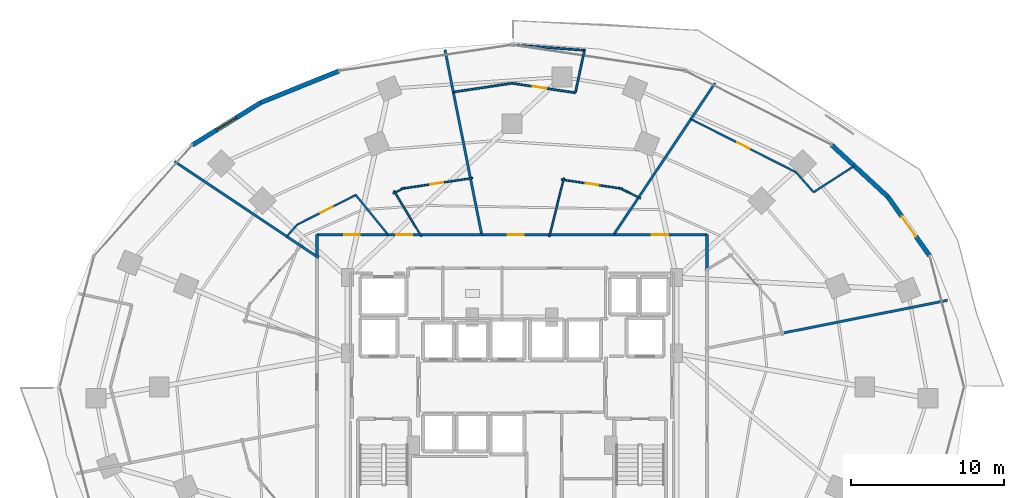
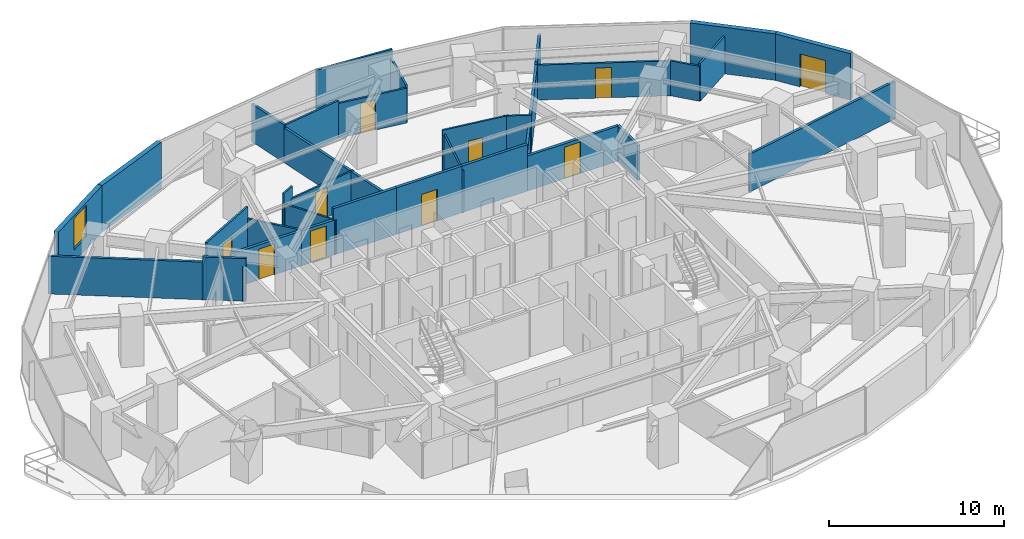
# One storey, part 29 of 33: 36 walls, 10 doors, 1 window, 11 openings.
"""IFC4 building model written with IfcOpenShell, lengths in metres."""

import ifcopenshell
import ifcopenshell.guid

model = None  # the IFC model being written
_history = None  # IfcOwnerHistory: only IFC2X3 demands one
_inside = {}  # id of a spatial element -> (the spatial element, [elements in it])
_under = {}  # id of a project, library or spatial element -> (it, [spatial elements below it])
_declared = {}  # id of a project -> (the project, [libraries it declares])
_typed = {}  # id of a type object -> (the type object, [elements of that type])
_made_of = {}  # id of a material, layer set ... -> (it, [elements and type objects made of it])


def new_model(schema):
    """Start an empty IFC model of exactly this schema.

    Asked for "IFC4X3", IfcOpenShell would pick the latest addendum, in which some entities
    have other attributes; the version numbers below select the first issue.
    IFC2X3 requires an IfcOwnerHistory on every rooted entity: one is made here for all.
    """
    global model, _history
    if schema == "IFC4X3":
        model = ifcopenshell.file(schema_version=(4, 3, 0, 0))
    else:
        model = ifcopenshell.file(schema=schema)
    _inside.clear()
    _under.clear()
    _declared.clear()
    _typed.clear()
    _made_of.clear()
    _history = None
    if model.schema == "IFC2X3":
        org = make("IfcOrganization", Name="unknown")
        user = make(
            "IfcPersonAndOrganization",
            ThePerson=make("IfcPerson", FamilyName="unknown"),
            TheOrganization=org,
        )
        app = make(
            "IfcApplication",
            ApplicationDeveloper=org,
            Version="unknown",
            ApplicationFullName="unknown",
            ApplicationIdentifier="unknown",
        )
        _history = make(
            "IfcOwnerHistory",
            OwningUser=user,
            OwningApplication=app,
            ChangeAction="ADDED",
            CreationDate=0,
        )
    return model


def make(cls, **values):
    """One entity of the class cls with the attributes given. An attribute that is None is left unset."""
    return model.create_entity(
        cls, **{name: value for name, value in values.items() if value is not None}
    )


def rooted(cls, **values):
    """An entity with a GlobalId (a new one), such as an element, a storey or a relation."""
    return make(cls, GlobalId=ifcopenshell.guid.new(), OwnerHistory=_history, **values)


def si_unit(unit_type, name, prefix=None):
    """IfcSIUnit, for example si_unit("LENGTHUNIT", "METRE", prefix="MILLI")."""
    return make("IfcSIUnit", UnitType=unit_type, Prefix=prefix, Name=name)


def assignment(units):
    """IfcUnitAssignment: the units of a project."""
    return None if units is None else make("IfcUnitAssignment", Units=units)


def point(xyz):
    """IfcCartesianPoint."""
    return None if xyz is None else make("IfcCartesianPoint", Coordinates=xyz)


def direction(xyz):
    """IfcDirection."""
    return None if xyz is None else make("IfcDirection", DirectionRatios=xyz)


def frame(location, z_axis=None, x_axis=None):
    """IfcAxis2Placement3D, a coordinate frame: its origin and axes. An axis left out is left unset."""
    return make(
        "IfcAxis2Placement3D",
        Location=point(location),
        Axis=direction(z_axis),
        RefDirection=direction(x_axis),
    )


def frame_2d(location, x_axis=None):
    """IfcAxis2Placement2D, a coordinate frame in the plane: its origin and x axis."""
    return make(
        "IfcAxis2Placement2D", Location=point(location), RefDirection=direction(x_axis)
    )


def origin():
    """The frame at (0, 0, 0) with its axes left unset."""
    return frame((0.0, 0.0, 0.0))


def place(relative_to, where):
    """IfcLocalPlacement: puts the frame where relative to a parent placement (None: the world)."""
    return make(
        "IfcLocalPlacement", PlacementRelTo=relative_to, RelativePlacement=where
    )


def context(
    kind, dimensions, precision=None, world=None, true_north=None, identifier=None
):
    """IfcGeometricRepresentationContext, for example the 3D "Model" context."""
    return make(
        "IfcGeometricRepresentationContext",
        ContextIdentifier=identifier,
        ContextType=kind,
        CoordinateSpaceDimension=dimensions,
        Precision=precision,
        WorldCoordinateSystem=world,
        TrueNorth=true_north,
    )


def subcontext(parent, identifier, kind, view, scale=None):
    """IfcGeometricRepresentationSubContext, for example "Body" below "Model"."""
    return make(
        "IfcGeometricRepresentationSubContext",
        ContextIdentifier=identifier,
        ContextType=kind,
        ParentContext=parent,
        TargetScale=scale,
        TargetView=view,
    )


def project(units=None, contexts=None):
    """IfcProject with its units and contexts."""
    return rooted(
        "IfcProject",
        Name="project",
        RepresentationContexts=contexts,
        UnitsInContext=assignment(units),
    )


def spatial(cls, under=None, at=None, **own):
    """A site, building, storey or space (cls), placed at a placement, below another one or the project."""
    s = rooted(cls, ObjectPlacement=at, **own)
    if under is not None:
        _under.setdefault(under.id(), (under, []))[1].append(s)
    return s


def profile(cls, at=None, kind="AREA", **sizes):
    """A parametric profile (cls). Its sizes go by their IFC names, for example OverallWidth=200.0."""
    return make(cls, ProfileType=kind, Position=at, **sizes)


def rectangle(**sizes):
    """IfcRectangleProfileDef."""
    return profile("IfcRectangleProfileDef", **sizes)


def extrude(swept, where, along, depth):
    """IfcExtrudedAreaSolid: the profile swept, set in the frame where, extruded along a direction by depth."""
    return make(
        "IfcExtrudedAreaSolid",
        SweptArea=swept,
        Position=where,
        ExtrudedDirection=direction(along),
        Depth=depth,
    )


def shape(context_of_items, identifier, shape_type, items):
    """IfcShapeRepresentation: the items that make up one representation, for example the "Body"."""
    return make(
        "IfcShapeRepresentation",
        ContextOfItems=context_of_items,
        RepresentationIdentifier=identifier,
        RepresentationType=shape_type,
        Items=items,
    )


def material(Name=None, Category=None):
    """IfcMaterial."""
    return make("IfcMaterial", Name=Name, Category=Category)


def layer(
    of_material, thickness, ventilated=None, Name=None, Category=None, Priority=None
):
    """IfcMaterialLayer: one layer of a wall or slab, of a material (None: an air gap)."""
    return make(
        "IfcMaterialLayer",
        Material=of_material,
        LayerThickness=thickness,
        IsVentilated=ventilated,
        Name=Name,
        Category=Category,
        Priority=Priority,
    )


def layer_set(layers, Name=None):
    """IfcMaterialLayerSet."""
    return make("IfcMaterialLayerSet", MaterialLayers=layers, LayerSetName=Name)


def made_of(thing, what):
    """Note that an element or type object is made of a material, layer set ...; save() writes the relation."""
    if what is not None:
        _made_of.setdefault(what.id(), (what, []))[1].append(thing)
    return thing


def type_object(cls, material=None, **own):
    """A type object (cls), such as IfcWallType, which elements share."""
    return made_of(rooted(cls, **own), material)


def element(
    cls,
    number,
    at=None,
    inside=None,
    cuts=None,
    type_object=None,
    material=None,
    context=None,
    identifier="Body",
    shape_type=None,
    held_by="IfcProductDefinitionShape",
    body=None,
    shapes=None,
    **own,
):
    """One element of the class cls, such as IfcWall. Its Tag is "e" and its number.

    at: its placement. inside: the storey or other place that contains it. cuts: it is an
    opening in that element (IfcRelVoidsElement). A single representation is given by context,
    identifier, shape_type and body (its items); several are given by shapes. held_by: the class
    of the entity that holds the representations. save() writes the other relations.
    """
    e = rooted(cls, Tag="e%d" % number, ObjectPlacement=at, **own)
    if body is not None:
        shapes = [shape(context, identifier, shape_type, body)]
    if shapes is not None:
        e.Representation = make(held_by, Representations=shapes)
    if inside is not None:
        _inside.setdefault(inside.id(), (inside, []))[1].append(e)
    if cuts is not None:
        rooted(
            "IfcRelVoidsElement", RelatingBuildingElement=cuts, RelatedOpeningElement=e
        )
    if type_object is not None:
        _typed.setdefault(type_object.id(), (type_object, []))[1].append(e)
    return made_of(e, material)


def fill(opening, filler):
    """IfcRelFillsElement: the door or window that sits in an opening."""
    return rooted(
        "IfcRelFillsElement",
        RelatingOpeningElement=opening,
        RelatedBuildingElement=filler,
    )


def aggregate(whole, parts):
    """IfcRelAggregates: a whole, such as a stair, and the parts it consists of."""
    return rooted("IfcRelAggregates", RelatingObject=whole, RelatedObjects=parts)


def save(model, path):
    """Write the relations noted so far, then the file.

    IfcRelAggregates (storeys below a building ...), IfcRelContainedInSpatialStructure (elements
    in a storey), IfcRelDefinesByType, IfcRelAssociatesMaterial and IfcRelDeclares: one each for
    every whole, place, type object, material and project.
    """
    for whole, parts in _under.values():
        aggregate(whole, parts)
    for where, things in _inside.values():
        rooted(
            "IfcRelContainedInSpatialStructure",
            RelatedElements=things,
            RelatingStructure=where,
        )
    for kind, things in _typed.values():
        rooted("IfcRelDefinesByType", RelatedObjects=things, RelatingType=kind)
    for what, things in _made_of.values():
        rooted("IfcRelAssociatesMaterial", RelatedObjects=things, RelatingMaterial=what)
    for by, libraries in _declared.values():
        rooted("IfcRelDeclares", RelatingContext=by, RelatedDefinitions=libraries)
    model.write(path)


model = new_model("IFC4")

# Units and contexts
model_context = context("Model", 3, precision=1e-05, world=origin(), true_north=direction((0.0, 1.0)))
body_context = subcontext(model_context, "Body", "Model", "MODEL_VIEW")
ifc_project = project(units=[si_unit("LENGTHUNIT", "METRE"), si_unit("AREAUNIT", "SQUARE_METRE"), si_unit("VOLUMEUNIT", "CUBIC_METRE"), si_unit("PLANEANGLEUNIT", "RADIAN"), si_unit("MASSUNIT", "GRAM", prefix="KILO")], contexts=[model_context])

# Site, building, storey
site_placement = place(None, origin())
site = spatial("IfcSite", under=ifc_project, at=site_placement, CompositionType="ELEMENT")
building_placement = place(site_placement, origin())
building = spatial("IfcBuilding", under=site, at=building_placement, Name="Vorneva Point Tower", CompositionType="ELEMENT")
storey_placement = place(building_placement, frame((0.0, 0.0, 38.0)))
storey = spatial("IfcBuildingStorey", under=building, at=storey_placement, Name="L09", CompositionType="ELEMENT", Elevation=38.0)

# Wall, opening, door
ifc_material_1 = material(Name="Precast concrete B50 (C40/50)", Category="concrete")
ifc_layer_1 = layer(ifc_material_1, 0.300048828125)
ifc_layer_set_1 = layer_set([ifc_layer_1], Name="Precast concrete B50 (C40/50)")
wall_type_1 = type_object("IfcWallType", Name="WL-EXT-300", PredefinedType="STANDARD", material=ifc_layer_set_1)
wall_1_placement = place(storey_placement, frame((65.300537109375, 34.552978515625, 0.0), z_axis=(0.0, 0.0, 1.0), x_axis=(-0.577130815624, 0.816651713803, 0.0)))
wall_1 = element("IfcWall", 1, at=wall_1_placement, inside=storey, type_object=wall_type_1, Name="L09 Pale-Metal Facade Spandrel Wall 02.1", PredefinedType="STANDARD", context=body_context, shape_type="SweptSolid", body=[
    extrude(rectangle(XDim=4.7314453125, YDim=0.300048828125, at=frame_2d((2.36572265625, 0.0))), origin(), (0.0, 0.0, 1.0), 3.239990234375),
])
opening_1_placement = place(wall_1_placement, frame((1.56591796875, 0.0, 0.0)))
opening_1 = element("IfcOpeningElement", 2, at=opening_1_placement, cuts=wall_1, Name="Opening BD-01", PredefinedType="OPENING", context=body_context, shape_type="SweptSolid", body=[
    extrude(rectangle(XDim=1.60009765625, YDim=2.300048828125, at=frame_2d((0.800048828125, 1.14990234375))), frame((0.0, 0.1650390625, 0.0), z_axis=(0.0, -1.0, 0.0), x_axis=(1.0, 0.0, 0.0)), (0.0, 0.0, 1.0), 0.329833984375),
])
ifc_material_2 = material(Name="Pale anodised aluminium", Category="aluminium")
door_type_1 = type_object("IfcDoorType", Name="DR-BAL-1600", OperationType="SLIDING_TO_LEFT", PredefinedType="DOOR", material=ifc_material_2)
door_1_placement = place(opening_1_placement, origin())
door_1 = element("IfcDoor", 3, at=door_1_placement, inside=storey, type_object=door_type_1, Name="L09 Balcony Terrace Access Door 02", OperationType="SLIDING_TO_LEFT", OverallHeight=2.300048828125, OverallWidth=1.60009765625, PredefinedType="DOOR", context=body_context, shape_type="SweptSolid", body=[
    extrude(rectangle(XDim=1.60009765625, YDim=2.300048828125, at=frame_2d((0.800048828125, 1.14990234375))), frame((0.0, 0.02490234375, 0.0), z_axis=(0.0, -1.0, 0.0), x_axis=(1.0, 0.0, 0.0)), (0.0, 0.0, 1.0), 0.050048828125),
])
fill(opening_1, door_1)

# Walls
wall_2_placement = place(storey_placement, frame((62.56982421875, 38.4169921875, 0.0), z_axis=(0.0, 0.0, 1.0), x_axis=(-0.735342629635, 0.677695519419, 0.0)))
element("IfcWall", 4, at=wall_2_placement, inside=storey, type_object=wall_type_1, Name="L09 Pale-Metal Facade Spandrel Wall 02.2", PredefinedType="STANDARD", context=body_context, shape_type="SweptSolid", body=[
    extrude(rectangle(XDim=4.997314453125, YDim=0.300048828125, at=frame_2d((2.49853515625, 0.0))), origin(), (0.0, 0.0, 1.0), 3.239990234375),
])
wall_3_placement = place(storey_placement, frame((26.691650390625, 46.648681640625, 0.0), z_axis=(0.0, 0.0, 1.0), x_axis=(-0.927095325176, -0.374825636845, 0.0)))
element("IfcWall", 5, at=wall_3_placement, inside=storey, type_object=wall_type_1, Name="L09 Pale-Metal Facade Spandrel Wall 06.1", PredefinedType="STANDARD", context=body_context, shape_type="SweptSolid", body=[
    extrude(rectangle(XDim=5.51025390625, YDim=0.300048828125, at=frame_2d((2.755126953125, 0.0))), origin(), (0.0, 0.0, 1.0), 3.239990234375),
])

# Wall, opening, window
wall_4_placement = place(storey_placement, frame((21.5830078125, 44.583251953125, 0.0), z_axis=(0.0, 0.0, 1.0), x_axis=(-0.849633724826, -0.527373239404, 0.0)))
wall_4 = element("IfcWall", 6, at=wall_4_placement, inside=storey, type_object=wall_type_1, Name="L09 Pale-Metal Facade Spandrel Wall 06.2", PredefinedType="STANDARD", context=body_context, shape_type="SweptSolid", body=[
    extrude(rectangle(XDim=5.2705078125, YDim=0.300048828125, at=frame_2d((2.63525390625, 0.0))), origin(), (0.0, 0.0, 1.0), 3.239990234375),
])
opening_2_placement = place(wall_4_placement, frame((1.88525390625, 0.0, 0.85009765625)))
opening_2 = element("IfcOpeningElement", 7, at=opening_2_placement, cuts=wall_4, Name="Opening W-02", PredefinedType="OPENING", context=body_context, shape_type="SweptSolid", body=[
    extrude(rectangle(XDim=1.5, YDim=2.18994140625, at=frame_2d((0.75, 1.094970703125))), frame((0.0, 0.1650390625, 0.0), z_axis=(0.0, -1.0, 0.0), x_axis=(1.0, 0.0, 0.0)), (0.0, 0.0, 1.0), 0.329833984375),
])
ifc_material_3 = material(Name="Double low-e laminated glass IGU", Category="glass")
window_type = type_object("IfcWindowType", Name="WN-HTL-1500", PartitioningType="SINGLE_PANEL", PredefinedType="WINDOW", material=ifc_material_3)
window_placement = place(opening_2_placement, origin())
window = element("IfcWindow", 8, at=window_placement, inside=storey, type_object=window_type, Name="L09 Facade Window 06", OverallHeight=2.18994140625, OverallWidth=1.5, PartitioningType="SINGLE_PANEL", PredefinedType="WINDOW", context=body_context, shape_type="SweptSolid", body=[
    extrude(rectangle(XDim=1.5, YDim=2.18994140625, at=frame_2d((0.75, 1.094970703125))), frame((0.0, 0.030029296875, 0.0), z_axis=(0.0, -1.0, 0.0), x_axis=(1.0, 0.0, 0.0)), (0.0, 0.0, 1.0), 0.06005859375),
])
fill(opening_2, window)

# Wall
ifc_material_4 = material(Name="Fire-rated acoustic gypsum stud partition", Category="gypsum")
ifc_layer_2 = layer(ifc_material_4, 0.110107421875)
ifc_layer_set_2 = layer_set([ifc_layer_2], Name="Fire-rated acoustic gypsum stud partition")
wall_type_2 = type_object("IfcWallType", Name="WL-PART-110", PredefinedType="PARTITIONING", material=ifc_layer_set_2)
wall_5_placement = place(storey_placement, frame((40.438232421875, 35.814208984375, 0.0), z_axis=(0.0, 0.0, 1.0), x_axis=(0.24101554649, 0.970521254971, 0.0)))
element("IfcWall", 9, at=wall_5_placement, inside=storey, type_object=wall_type_2, Name="L09 Interior Partition 053", PredefinedType="PARTITIONING", context=body_context, shape_type="SweptSolid", body=[
    extrude(rectangle(XDim=3.96875, YDim=0.110107421875, at=frame_2d((1.984375, 0.0))), origin(), (0.0, 0.0, 1.0), 2.971923828125),
])

# Wall, opening, door
wall_6_placement = place(storey_placement, frame((41.22265625, 39.55078125, 0.0), z_axis=(0.0, 0.0, 1.0), x_axis=(0.988911221338, -0.148507899833, 0.0)))
wall_6 = element("IfcWall", 10, at=wall_6_placement, inside=storey, type_object=wall_type_2, Name="L09 Interior Partition 054", PredefinedType="PARTITIONING", context=body_context, shape_type="SweptSolid", body=[
    extrude(rectangle(XDim=4.06396484375, YDim=0.110107421875, at=frame_2d((2.031982421875, 0.0))), origin(), (0.0, 0.0, 1.0), 3.239990234375),
])
opening_3_placement = place(wall_6_placement, frame((1.60693359375, 0.0, 0.0)))
opening_3 = element("IfcOpeningElement", 11, at=opening_3_placement, cuts=wall_6, Name="Opening ID-02", PredefinedType="OPENING", context=body_context, shape_type="SweptSolid", body=[
    extrude(rectangle(XDim=0.85009765625, YDim=2.10009765625, at=frame_2d((0.425048828125, 1.050048828125))), frame((0.0, 0.06982421875, 0.0), z_axis=(0.0, -1.0, 0.0), x_axis=(1.0, 0.0, 0.0)), (0.0, 0.0, 1.0), 0.139892578125),
])
ifc_material_5 = material(Name="Engineered oak fire-rated door leaf", Category="wood")
door_type_2 = type_object("IfcDoorType", Name="DR-BATH-850", OperationType="NOTDEFINED", PredefinedType="DOOR", material=ifc_material_5)
door_2_placement = place(opening_3_placement, origin())
door_2 = element("IfcDoor", 12, at=door_2_placement, inside=storey, type_object=door_type_2, Name="L09 Door Corner Suite L09-02 / En-Suite Bathroom L09-02", OperationType="SINGLE_SWING_RIGHT", OverallHeight=2.10009765625, OverallWidth=0.85009765625, PredefinedType="DOOR", context=body_context, shape_type="SweptSolid", body=[
    extrude(rectangle(XDim=0.85009765625, YDim=2.10009765625, at=frame_2d((0.425048828125, 1.050048828125))), frame((0.0, 0.02490234375, 0.0), z_axis=(0.0, -1.0, 0.0), x_axis=(1.0, 0.0, 0.0)), (0.0, 0.0, 1.0), 0.050048828125),
])
fill(opening_3, door_2)

# Walls
wall_7_placement = place(storey_placement, frame((44.97802734375, 39.03125, 0.0), z_axis=(0.0, 0.0, 1.0), x_axis=(0.892388427115, -0.451268096758, 0.0)))
element("IfcWall", 13, at=wall_7_placement, inside=storey, type_object=wall_type_2, Name="L09 Interior Partition 055", PredefinedType="PARTITIONING", context=body_context, shape_type="SweptSolid", body=[
    extrude(rectangle(XDim=1.587890625, YDim=0.110107421875, at=frame_2d((0.7939453125, 0.0))), origin(), (0.0, 0.0, 1.0), 3.239990234375),
])
wall_8_placement = place(storey_placement, frame((32.082275390625, 35.830078125, 0.0), z_axis=(0.0, 0.0, 1.0), x_axis=(-0.51585529038, 0.856675737597, 0.0)))
element("IfcWall", 14, at=wall_8_placement, inside=storey, type_object=wall_type_2, Name="L09 Interior Partition 062", PredefinedType="PARTITIONING", context=body_context, shape_type="SweptSolid", body=[
    extrude(rectangle(XDim=3.484130859375, YDim=0.110107421875, at=frame_2d((1.7421875, 0.0))), origin(), (0.0, 0.0, 1.0), 2.431884765625),
])
wall_9_placement = place(storey_placement, frame((30.232177734375, 38.6318359375, 0.0), z_axis=(0.0, 0.0, 1.0), x_axis=(0.892376579336, 0.451291525129, 0.0)))
element("IfcWall", 15, at=wall_9_placement, inside=storey, type_object=wall_type_2, Name="L09 Interior Partition 063", PredefinedType="PARTITIONING", context=body_context, shape_type="SweptSolid", body=[
    extrude(rectangle(XDim=0.885009765625, YDim=0.110107421875, at=frame_2d((0.4423828125, 0.0))), origin(), (0.0, 0.0, 1.0), 3.239990234375),
])

# Wall, opening, door
wall_10_placement = place(storey_placement, frame((30.758544921875, 38.947265625, 0.0), z_axis=(0.0, 0.0, 1.0), x_axis=(0.9889029502, 0.148562966739, 0.0)))
wall_10 = element("IfcWall", 16, at=wall_10_placement, inside=storey, type_object=wall_type_2, Name="L09 Interior Partition 064", PredefinedType="PARTITIONING", context=body_context, shape_type="SweptSolid", body=[
    extrude(rectangle(XDim=4.721435546875, YDim=0.110107421875, at=frame_2d((2.36083984375, 0.0))), origin(), (0.0, 0.0, 1.0), 2.431884765625),
])
opening_4_placement = place(wall_10_placement, frame((1.935546875, 0.0, 0.0)))
opening_4 = element("IfcOpeningElement", 17, at=opening_4_placement, cuts=wall_10, Name="Opening ID-02", PredefinedType="OPENING", context=body_context, shape_type="SweptSolid", body=[
    extrude(rectangle(XDim=0.85009765625, YDim=2.10009765625, at=frame_2d((0.425048828125, 1.050048828125))), frame((0.0, 0.06982421875, 0.0), z_axis=(0.0, -1.0, 0.0), x_axis=(1.0, 0.0, 0.0)), (0.0, 0.0, 1.0), 0.139892578125),
])
door_3_placement = place(opening_4_placement, origin())
door_3 = element("IfcDoor", 18, at=door_3_placement, inside=storey, type_object=door_type_2, Name="L09 Door Junior Suite L09-03 / En-Suite Bathroom L09-03", OperationType="SINGLE_SWING_LEFT", OverallHeight=2.10009765625, OverallWidth=0.85009765625, PredefinedType="DOOR", context=body_context, shape_type="SweptSolid", body=[
    extrude(rectangle(XDim=0.85009765625, YDim=2.10009765625, at=frame_2d((0.425048828125, 1.050048828125))), frame((0.0, 0.02490234375, 0.0), z_axis=(0.0, -1.0, 0.0), x_axis=(1.0, 0.0, 0.0)), (0.0, 0.0, 1.0), 0.050048828125),
])
fill(opening_4, door_3)

# Walls
ifc_layer_3 = layer(ifc_material_4, 0.125)
ifc_layer_set_3 = layer_set([ifc_layer_3], Name="Fire-rated acoustic gypsum stud partition")
wall_type_3 = type_object("IfcWallType", Name="WL-PART-125", PredefinedType="PARTITIONING", material=ifc_layer_set_3)
wall_11_placement = place(storey_placement, frame((60.368896484375, 40.443115234375, 0.0), z_axis=(0.0, 0.0, 1.0), x_axis=(-0.840157237287, -0.542342895809, 0.0)))
element("IfcWall", 19, at=wall_11_placement, inside=storey, type_object=wall_type_3, Name="L09 Interior Partition 046", PredefinedType="PARTITIONING", context=body_context, shape_type="SweptSolid", body=[
    extrude(rectangle(XDim=3.166015625, YDim=0.125, at=frame_2d((1.5830078125, 0.0))), origin(), (0.0, 0.0, 1.0), 2.6240234375),
])
wall_12_placement = place(storey_placement, frame((57.708984375, 38.72607421875, 0.0), z_axis=(0.0, 0.0, 1.0), x_axis=(-0.662510427818, 0.749052690425, 0.0)))
element("IfcWall", 20, at=wall_12_placement, inside=storey, type_object=wall_type_3, Name="L09 Interior Partition 047", PredefinedType="PARTITIONING", context=body_context, shape_type="SweptSolid", body=[
    extrude(rectangle(XDim=1.743408203125, YDim=0.125, at=frame_2d((0.87158203125, 0.0))), origin(), (0.0, 0.0, 1.0), 2.431884765625),
])

# Wall, opening, door
wall_13_placement = place(storey_placement, frame((56.553955078125, 40.031982421875, 0.0), z_axis=(0.0, 0.0, 1.0), x_axis=(-0.892545780062, 0.450956794487, 0.0)))
wall_13 = element("IfcWall", 21, at=wall_13_placement, inside=storey, type_object=wall_type_3, Name="L09 Interior Partition 048", PredefinedType="PARTITIONING", context=body_context, shape_type="SweptSolid", body=[
    extrude(rectangle(XDim=7.688232421875, YDim=0.125, at=frame_2d((3.84423828125, 0.0))), origin(), (0.0, 0.0, 1.0), 2.431884765625),
])
opening_5_placement = place(wall_13_placement, frame((3.39404296875, 0.0, 0.0)))
opening_5 = element("IfcOpeningElement", 22, at=opening_5_placement, cuts=wall_13, Name="Opening ID-01", PredefinedType="OPENING", context=body_context, shape_type="SweptSolid", body=[
    extrude(rectangle(XDim=0.89990234375, YDim=2.10009765625, at=frame_2d((0.449951171875, 1.050048828125))), frame((0.0, 0.077392578125, 0.0), z_axis=(0.0, -1.0, 0.0), x_axis=(1.0, 0.0, 0.0)), (0.0, 0.0, 1.0), 0.15478515625),
])
door_type_3 = type_object("IfcDoorType", Name="DR-ROOM-900", OperationType="NOTDEFINED", PredefinedType="DOOR", material=ifc_material_5)
door_4_placement = place(opening_5_placement, origin())
door_4 = element("IfcDoor", 23, at=door_4_placement, inside=storey, type_object=door_type_3, Name="L09 Door Executive Suite L09-01 / Suite Sitting Study L09-01", OperationType="SINGLE_SWING_LEFT", OverallHeight=2.10009765625, OverallWidth=0.89990234375, PredefinedType="DOOR", context=body_context, shape_type="SweptSolid", body=[
    extrude(rectangle(XDim=0.89990234375, YDim=2.10009765625, at=frame_2d((0.449951171875, 1.050048828125))), frame((0.0, 0.02490234375, 0.0), z_axis=(0.0, -1.0, 0.0), x_axis=(1.0, 0.0, 0.0)), (0.0, 0.0, 1.0), 0.050048828125),
])
fill(opening_5, door_4)

# Walls
wall_14_placement = place(storey_placement, frame((42.7958984375, 47.991943359375, 0.0), z_axis=(0.0, 0.0, 1.0), x_axis=(-0.99722311136, 0.074471915311, 0.0)))
element("IfcWall", 24, at=wall_14_placement, inside=storey, type_object=wall_type_3, Name="L09 Interior Partition 056", PredefinedType="PARTITIONING", context=body_context, shape_type="SweptSolid", body=[
    extrude(rectangle(XDim=4.809326171875, YDim=0.125, at=frame_2d((2.40478515625, 0.0))), origin(), (0.0, 0.0, 1.0), 3.239990234375),
])
wall_15_placement = place(storey_placement, frame((42.736083984375, 47.99609375, 0.0), z_axis=(0.0, 0.0, 1.0), x_axis=(-0.210697687201, -0.977551269555, 0.0)))
element("IfcWall", 25, at=wall_15_placement, inside=storey, type_object=wall_type_3, Name="L09 Interior Partition 057", PredefinedType="PARTITIONING", context=body_context, shape_type="SweptSolid", body=[
    extrude(rectangle(XDim=2.8388671875, YDim=0.125, at=frame_2d((1.41943359375, 0.0))), origin(), (0.0, 0.0, 1.0), 2.6240234375),
])

# Wall, opening, door
wall_16_placement = place(storey_placement, frame((42.137939453125, 45.220947265625, 0.0), z_axis=(0.0, 0.0, 1.0), x_axis=(-0.988853606593, 0.148891049857, 0.0)))
wall_16 = element("IfcWall", 26, at=wall_16_placement, inside=storey, type_object=wall_type_3, Name="L09 Interior Partition 058", PredefinedType="PARTITIONING", context=body_context, shape_type="SweptSolid", body=[
    extrude(rectangle(XDim=4.1845703125, YDim=0.125, at=frame_2d((2.09228515625, 0.0))), origin(), (0.0, 0.0, 1.0), 2.431884765625),
])
opening_6_placement = place(wall_16_placement, frame((1.92236328125, 0.0, 0.0)))
opening_6 = element("IfcOpeningElement", 27, at=opening_6_placement, cuts=wall_16, Name="Opening ID-01", PredefinedType="OPENING", context=body_context, shape_type="SweptSolid", body=[
    extrude(rectangle(XDim=0.89990234375, YDim=2.10009765625, at=frame_2d((0.449951171875, 1.050048828125))), frame((0.0, 0.077392578125, 0.0), z_axis=(0.0, -1.0, 0.0), x_axis=(1.0, 0.0, 0.0)), (0.0, 0.0, 1.0), 0.15478515625),
])
door_5_placement = place(opening_6_placement, origin())
door_5 = element("IfcDoor", 28, at=door_5_placement, inside=storey, type_object=door_type_3, Name="L09 Door Corner Suite L09-02 / Suite Sitting Study L09-02", OperationType="SINGLE_SWING_RIGHT", OverallHeight=2.10009765625, OverallWidth=0.89990234375, PredefinedType="DOOR", context=body_context, shape_type="SweptSolid", body=[
    extrude(rectangle(XDim=0.89990234375, YDim=2.10009765625, at=frame_2d((0.449951171875, 1.050048828125))), frame((0.0, 0.02490234375, 0.0), z_axis=(0.0, -1.0, 0.0), x_axis=(1.0, 0.0, 0.0)), (0.0, 0.0, 1.0), 0.050048828125),
])
fill(opening_6, door_5)

# Walls
wall_17_placement = place(storey_placement, frame((38.0, 45.843994140625, 0.0), z_axis=(0.0, 0.0, 1.0), x_axis=(-0.988862311426, -0.148833225599, 0.0)))
element("IfcWall", 29, at=wall_17_placement, inside=storey, type_object=wall_type_3, Name="L09 Interior Partition 059", PredefinedType="PARTITIONING", context=body_context, shape_type="SweptSolid", body=[
    extrude(rectangle(XDim=3.876220703125, YDim=0.125, at=frame_2d((1.93798828125, 0.0))), origin(), (0.0, 0.0, 1.0), 2.6240234375),
])
wall_18_placement = place(storey_placement, frame((23.283935546875, 35.83203125, 0.0), z_axis=(0.0, 0.0, 1.0), x_axis=(0.662462125237, 0.749095409561, 0.0)))
element("IfcWall", 30, at=wall_18_placement, inside=storey, type_object=wall_type_3, Name="L09 Interior Partition 065", PredefinedType="PARTITIONING", context=body_context, shape_type="SweptSolid", body=[
    extrude(rectangle(XDim=1.037109375, YDim=0.125, at=frame_2d((0.5185546875, 0.0))), origin(), (0.0, 0.0, 1.0), 2.431884765625),
])

# Wall, opening, door
wall_19_placement = place(storey_placement, frame((23.970947265625, 36.60888671875, 0.0), z_axis=(0.0, 0.0, 1.0), x_axis=(0.892445030909, 0.451156144596, 0.0)))
wall_19 = element("IfcWall", 31, at=wall_19_placement, inside=storey, type_object=wall_type_3, Name="L09 Interior Partition 066", PredefinedType="PARTITIONING", context=body_context, shape_type="SweptSolid", body=[
    extrude(rectangle(XDim=4.280517578125, YDim=0.125, at=frame_2d((2.14013671875, 0.0))), origin(), (0.0, 0.0, 1.0), 3.239990234375),
])
opening_7_placement = place(wall_19_placement, frame((1.690185546875, 0.0, 0.0)))
opening_7 = element("IfcOpeningElement", 32, at=opening_7_placement, cuts=wall_19, Name="Opening ID-01", PredefinedType="OPENING", context=body_context, shape_type="SweptSolid", body=[
    extrude(rectangle(XDim=0.89990234375, YDim=2.10009765625, at=frame_2d((0.449951171875, 1.050048828125))), frame((0.0, 0.077392578125, 0.0), z_axis=(0.0, -1.0, 0.0), x_axis=(1.0, 0.0, 0.0)), (0.0, 0.0, 1.0), 0.15478515625),
])
door_6_placement = place(opening_7_placement, origin())
door_6 = element("IfcDoor", 33, at=door_6_placement, inside=storey, type_object=door_type_3, Name="L09 Door Junior Suite L09-03 / Suite Sitting Study L09-03", OperationType="SINGLE_SWING_RIGHT", OverallHeight=2.10009765625, OverallWidth=0.89990234375, PredefinedType="DOOR", context=body_context, shape_type="SweptSolid", body=[
    extrude(rectangle(XDim=0.89990234375, YDim=2.10009765625, at=frame_2d((0.449951171875, 1.050048828125))), frame((0.0, 0.02490234375, 0.0), z_axis=(0.0, -1.0, 0.0), x_axis=(1.0, 0.0, 0.0)), (0.0, 0.0, 1.0), 0.050048828125),
])
fill(opening_7, door_6)

# Walls
wall_20_placement = place(storey_placement, frame((27.791015625, 38.5400390625, 0.0), z_axis=(0.0, 0.0, 1.0), x_axis=(0.631217195835, -0.775606118904, 0.0)))
element("IfcWall", 34, at=wall_20_placement, inside=storey, type_object=wall_type_3, Name="L09 Interior Partition 067", PredefinedType="PARTITIONING", context=body_context, shape_type="SweptSolid", body=[
    extrude(rectangle(XDim=3.33935546875, YDim=0.125, at=frame_2d((1.669677734375, 0.0))), origin(), (0.0, 0.0, 1.0), 2.431884765625),
])
ifc_layer_4 = layer(ifc_material_4, 0.159912109375)
ifc_layer_set_4 = layer_set([ifc_layer_4], Name="Fire-rated acoustic gypsum stud partition")
wall_type_4 = type_object("IfcWallType", Name="WL-PART-160", PredefinedType="PARTITIONING", material=ifc_layer_set_4)
wall_21_placement = place(storey_placement, frame((49.69189453125, 43.4990234375, 0.0), z_axis=(0.0, 0.0, 1.0), x_axis=(-0.555556259167, -0.831478949163, 0.0)))
element("IfcWall", 35, at=wall_21_placement, inside=storey, type_object=wall_type_4, Name="L09 Interior Partition 049", PredefinedType="PARTITIONING", context=body_context, shape_type="SweptSolid", body=[
    extrude(rectangle(XDim=9.0791015625, YDim=0.159912109375, at=frame_2d((4.53955078125, 0.0))), origin(), (0.0, 0.0, 1.0), 2.431884765625),
])
wall_22_placement = place(storey_placement, frame((55.636962890625, 29.508056640625, 0.0), z_axis=(0.0, 0.0, 1.0), x_axis=(0.980781844691, 0.195107593712, 0.0)))
element("IfcWall", 36, at=wall_22_placement, inside=storey, type_object=wall_type_4, Name="L09 Interior Partition 050", PredefinedType="PARTITIONING", context=body_context, shape_type="SweptSolid", body=[
    extrude(rectangle(XDim=11.0341796875, YDim=0.159912109375, at=frame_2d((5.51708984375, 0.0))), origin(), (0.0, 0.0, 1.0), 2.6240234375),
])
wall_23_placement = place(storey_placement, frame((51.26708984375, 45.85595703125, 0.0), z_axis=(0.0, 0.0, 1.0), x_axis=(-0.555653789226, -0.831413775757, 0.0)))
element("IfcWall", 37, at=wall_23_placement, inside=storey, type_object=wall_type_4, Name="L09 Interior Partition 052", PredefinedType="PARTITIONING", context=body_context, shape_type="SweptSolid", body=[
    extrude(rectangle(XDim=2.8349609375, YDim=0.159912109375, at=frame_2d((1.41748046875, 0.0))), origin(), (0.0, 0.0, 1.0), 2.6240234375),
])
wall_24_placement = place(storey_placement, frame((34.1669921875, 45.26708984375, 0.0), z_axis=(0.0, 0.0, 1.0), x_axis=(0.19516219459, -0.980770981322, 0.0)))
element("IfcWall", 38, at=wall_24_placement, inside=storey, type_object=wall_type_4, Name="L09 Interior Partition 060", PredefinedType="PARTITIONING", context=body_context, shape_type="SweptSolid", body=[
    extrude(rectangle(XDim=9.499755859375, YDim=0.159912109375, at=frame_2d((4.75, 0.0))), origin(), (0.0, 0.0, 1.0), 2.431884765625),
])
wall_25_placement = place(storey_placement, frame((33.618896484375, 48.02294921875, 0.0), z_axis=(0.0, 0.0, 1.0), x_axis=(0.195063341769, -0.980790646722, 0.0)))
element("IfcWall", 39, at=wall_25_placement, inside=storey, type_object=wall_type_4, Name="L09 Interior Partition 061", PredefinedType="PARTITIONING", context=body_context, shape_type="SweptSolid", body=[
    extrude(rectangle(XDim=2.809814453125, YDim=0.159912109375, at=frame_2d((1.40478515625, 0.0))), origin(), (0.0, 0.0, 1.0), 2.6240234375),
])
wall_26_placement = place(storey_placement, frame((15.947021484375, 40.735107421875, 0.0), z_axis=(0.0, 0.0, 1.0), x_axis=(0.831432604336, -0.555625615363, 0.0)))
element("IfcWall", 40, at=wall_26_placement, inside=storey, type_object=wall_type_4, Name="L09 Interior Partition 068", PredefinedType="PARTITIONING", context=body_context, shape_type="SweptSolid", body=[
    extrude(rectangle(XDim=8.824462890625, YDim=0.159912109375, at=frame_2d((4.412109375, 0.0))), origin(), (0.0, 0.0, 1.0), 2.6240234375),
])
wall_27_placement = place(storey_placement, frame((23.283935546875, 35.83203125, 0.0), z_axis=(0.0, 0.0, 1.0), x_axis=(0.831550226979, -0.555449565677, 0.0)))
element("IfcWall", 41, at=wall_27_placement, inside=storey, type_object=wall_type_4, Name="L09 Interior Partition 069", PredefinedType="PARTITIONING", context=body_context, shape_type="SweptSolid", body=[
    extrude(rectangle(XDim=1.20263671875, YDim=0.159912109375, at=frame_2d((0.601318359375, 0.0))), origin(), (0.0, 0.0, 1.0), 2.971923828125),
])
wall_28_placement = place(storey_placement, frame((24.16748046875, 35.241455078125, 0.0), z_axis=(0.0, 0.0, 1.0), x_axis=(0.831815696492, -0.555051931868, 0.0)))
element("IfcWall", 42, at=wall_28_placement, inside=storey, type_object=wall_type_4, Name="L09 Interior Partition 070", PredefinedType="PARTITIONING", context=body_context, shape_type="SweptSolid", body=[
    extrude(rectangle(XDim=1.44140625, YDim=0.159912109375, at=frame_2d((0.720703125, 0.0))), origin(), (0.0, 0.0, 1.0), 2.971923828125),
])
ifc_material_6 = material(Name="Autoclaved aerated concrete blockwork", Category="masonry")
ifc_layer_5 = layer(ifc_material_6, 0.179931640625)
ifc_layer_set_5 = layer_set([ifc_layer_5], Name="Autoclaved aerated concrete blockwork")
wall_type_5 = type_object("IfcWallType", Name="WL-PART-180", PredefinedType="PARTITIONING", material=ifc_layer_set_5)
wall_29_placement = place(storey_placement, frame((50.75, 33.615966796875, 0.0), z_axis=(0.0, 0.0, 1.0), x_axis=(0.0, 1.0, 0.0)))
element("IfcWall", 43, at=wall_29_placement, inside=storey, type_object=wall_type_5, Name="L09 Interior Partition 022", PredefinedType="PARTITIONING", context=body_context, shape_type="SweptSolid", body=[
    extrude(rectangle(XDim=2.333984375, YDim=0.179931640625, at=frame_2d((1.1669921875, 0.0))), origin(), (0.0, 0.0, 1.0), 2.431884765625),
])

# Wall, opening, door
wall_30_placement = place(storey_placement, frame((50.75, 35.949951171875, 0.0), z_axis=(0.0, 0.0, 1.0), x_axis=(-1.0, 0.0, 0.0)))
wall_30 = element("IfcWall", 44, at=wall_30_placement, inside=storey, type_object=wall_type_5, Name="L09 Interior Partition 023", PredefinedType="PARTITIONING", context=body_context, shape_type="SweptSolid", body=[
    extrude(rectangle(XDim=6.162109375, YDim=0.179931640625, at=frame_2d((3.0810546875, 0.0))), origin(), (0.0, 0.0, 1.0), 2.431884765625),
])
opening_8_placement = place(wall_30_placement, frame((2.555908203125, 0.0, 0.0)))
opening_8 = element("IfcOpeningElement", 45, at=opening_8_placement, cuts=wall_30, Name="Opening UD-02", PredefinedType="OPENING", context=body_context, shape_type="SweptSolid", body=[
    extrude(rectangle(XDim=1.050048828125, YDim=2.199951171875, at=frame_2d((0.52490234375, 1.10009765625))), frame((0.0, 0.10498046875, 0.0), z_axis=(0.0, -1.0, 0.0), x_axis=(1.0, 0.0, 0.0)), (0.0, 0.0, 1.0), 0.209716796875),
])
door_type_4 = type_object("IfcDoorType", Name="DR-SUITE-1050", OperationType="NOTDEFINED", PredefinedType="DOOR", material=ifc_material_5)
door_7_placement = place(opening_8_placement, origin())
door_7 = element("IfcDoor", 46, at=door_7_placement, inside=storey, type_object=door_type_4, Name="L09 Door L09 Circulation Corridor / Executive Suite L09-01", OperationType="SINGLE_SWING_LEFT", OverallHeight=2.199951171875, OverallWidth=1.050048828125, PredefinedType="DOOR", context=body_context, shape_type="SweptSolid", body=[
    extrude(rectangle(XDim=1.050048828125, YDim=2.199951171875, at=frame_2d((0.52490234375, 1.10009765625))), frame((0.0, 0.02490234375, 0.0), z_axis=(0.0, -1.0, 0.0), x_axis=(1.0, 0.0, 0.0)), (0.0, 0.0, 1.0), 0.050048828125),
])
fill(opening_8, door_7)

wall_31_placement = place(storey_placement, frame((40.533935546875, 35.949951171875, 0.0), z_axis=(0.0, 0.0, 1.0), x_axis=(-1.0, 0.0, 0.0)))
wall_31 = element("IfcWall", 47, at=wall_31_placement, inside=storey, type_object=wall_type_5, Name="L09 Interior Partition 025", PredefinedType="PARTITIONING", context=body_context, shape_type="SweptSolid", body=[
    extrude(rectangle(XDim=4.573974609375, YDim=0.179931640625, at=frame_2d((2.287109375, 0.0))), origin(), (0.0, 0.0, 1.0), 3.239990234375),
])
opening_9_placement = place(wall_31_placement, frame((1.761962890625, 0.0, 0.0)))
opening_9 = element("IfcOpeningElement", 48, at=opening_9_placement, cuts=wall_31, Name="Opening UD-02", PredefinedType="OPENING", context=body_context, shape_type="SweptSolid", body=[
    extrude(rectangle(XDim=1.050048828125, YDim=2.199951171875, at=frame_2d((0.52490234375, 1.10009765625))), frame((0.0, 0.10498046875, 0.0), z_axis=(0.0, -1.0, 0.0), x_axis=(1.0, 0.0, 0.0)), (0.0, 0.0, 1.0), 0.209716796875),
])
door_8_placement = place(opening_9_placement, origin())
door_8 = element("IfcDoor", 49, at=door_8_placement, inside=storey, type_object=door_type_4, Name="L09 Door L09 Circulation Corridor / Corner Suite L09-02", OperationType="SINGLE_SWING_RIGHT", OverallHeight=2.199951171875, OverallWidth=1.050048828125, PredefinedType="DOOR", context=body_context, shape_type="SweptSolid", body=[
    extrude(rectangle(XDim=1.050048828125, YDim=2.199951171875, at=frame_2d((0.52490234375, 1.10009765625))), frame((0.0, 0.02490234375, 0.0), z_axis=(0.0, -1.0, 0.0), x_axis=(1.0, 0.0, 0.0)), (0.0, 0.0, 1.0), 0.050048828125),
])
fill(opening_9, door_8)

# Wall
wall_32_placement = place(storey_placement, frame((44.72802734375, 35.949951171875, 0.0), z_axis=(0.0, 0.0, 1.0), x_axis=(-1.0, 0.0, 0.0)))
element("IfcWall", 50, at=wall_32_placement, inside=storey, type_object=wall_type_5, Name="L09 Interior Partition 026", PredefinedType="PARTITIONING", context=body_context, shape_type="SweptSolid", body=[
    extrude(rectangle(XDim=4.333984375, YDim=0.179931640625, at=frame_2d((2.1669921875, 0.0))), origin(), (0.0, 0.0, 1.0), 3.239990234375),
])

# Wall, opening, door
wall_33_placement = place(storey_placement, frame((32.070068359375, 35.949951171875, 0.0), z_axis=(0.0, 0.0, 1.0), x_axis=(-1.0, 0.0, 0.0)))
wall_33 = element("IfcWall", 51, at=wall_33_placement, inside=storey, type_object=wall_type_5, Name="L09 Interior Partition 027", PredefinedType="PARTITIONING", context=body_context, shape_type="SweptSolid", body=[
    extrude(rectangle(XDim=2.248046875, YDim=0.179931640625, at=frame_2d((1.1240234375, 0.0))), origin(), (0.0, 0.0, 1.0), 2.431884765625),
])
opening_10_placement = place(wall_33_placement, frame((0.59912109375, 0.0, 0.0)))
opening_10 = element("IfcOpeningElement", 52, at=opening_10_placement, cuts=wall_33, Name="Opening UD-02", PredefinedType="OPENING", context=body_context, shape_type="SweptSolid", body=[
    extrude(rectangle(XDim=1.050048828125, YDim=2.199951171875, at=frame_2d((0.52490234375, 1.10009765625))), frame((0.0, 0.10498046875, 0.0), z_axis=(0.0, -1.0, 0.0), x_axis=(1.0, 0.0, 0.0)), (0.0, 0.0, 1.0), 0.209716796875),
])
door_9_placement = place(opening_10_placement, origin())
door_9 = element("IfcDoor", 53, at=door_9_placement, inside=storey, type_object=door_type_4, Name="L09 Door L09 Circulation Corridor / Junior Suite L09-03", OperationType="SINGLE_SWING_LEFT", OverallHeight=2.199951171875, OverallWidth=1.050048828125, PredefinedType="DOOR", context=body_context, shape_type="SweptSolid", body=[
    extrude(rectangle(XDim=1.050048828125, YDim=2.199951171875, at=frame_2d((0.52490234375, 1.10009765625))), frame((0.0, 0.02490234375, 0.0), z_axis=(0.0, -1.0, 0.0), x_axis=(1.0, 0.0, 0.0)), (0.0, 0.0, 1.0), 0.050048828125),
])
fill(opening_10, door_9)

# Wall
wall_34_placement = place(storey_placement, frame((36.10009765625, 35.949951171875, 0.0), z_axis=(0.0, 0.0, 1.0), x_axis=(-1.0, 0.0, 0.0)))
element("IfcWall", 54, at=wall_34_placement, inside=storey, type_object=wall_type_5, Name="L09 Interior Partition 028", PredefinedType="PARTITIONING", context=body_context, shape_type="SweptSolid", body=[
    extrude(rectangle(XDim=4.170166015625, YDim=0.179931640625, at=frame_2d((2.0849609375, 0.0))), origin(), (0.0, 0.0, 1.0), 3.239990234375),
])

# Wall, opening, door
wall_35_placement = place(storey_placement, frame((29.822021484375, 35.949951171875, 0.0), z_axis=(0.0, 0.0, 1.0), x_axis=(-1.0, 0.0, 0.0)))
wall_35 = element("IfcWall", 55, at=wall_35_placement, inside=storey, type_object=wall_type_5, Name="L09 Interior Partition 029", PredefinedType="PARTITIONING", context=body_context, shape_type="SweptSolid", body=[
    extrude(rectangle(XDim=4.572021484375, YDim=0.179931640625, at=frame_2d((2.2861328125, 0.0))), origin(), (0.0, 0.0, 1.0), 2.431884765625),
])
opening_11_placement = place(wall_35_placement, frame((1.785888671875, 0.0, 0.0)))
opening_11 = element("IfcOpeningElement", 56, at=opening_11_placement, cuts=wall_35, Name="Opening UD-01", PredefinedType="OPENING", context=body_context, shape_type="SweptSolid", body=[
    extrude(rectangle(XDim=1.0, YDim=2.14990234375, at=frame_2d((0.5, 1.074951171875))), frame((0.0, 0.10498046875, 0.0), z_axis=(0.0, -1.0, 0.0), x_axis=(1.0, 0.0, 0.0)), (0.0, 0.0, 1.0), 0.209716796875),
])
door_type_5 = type_object("IfcDoorType", Name="DR-UNIT-1000", OperationType="NOTDEFINED", PredefinedType="DOOR", material=ifc_material_5)
door_10_placement = place(opening_11_placement, origin())
door_10 = element("IfcDoor", 57, at=door_10_placement, inside=storey, type_object=door_type_5, Name="L09 Door L09 Circulation Corridor / Suite Sitting Study L09-03", OperationType="SINGLE_SWING_RIGHT", OverallHeight=2.14990234375, OverallWidth=1.0, PredefinedType="DOOR", context=body_context, shape_type="SweptSolid", body=[
    extrude(rectangle(XDim=1.0, YDim=2.14990234375, at=frame_2d((0.5, 1.074951171875))), frame((0.0, 0.02490234375, 0.0), z_axis=(0.0, -1.0, 0.0), x_axis=(1.0, 0.0, 0.0)), (0.0, 0.0, 1.0), 0.050048828125),
])
fill(opening_11, door_10)

# Wall
wall_36_placement = place(storey_placement, frame((25.25, 35.949951171875, 0.0), z_axis=(0.0, 0.0, 1.0), x_axis=(0.0, -1.0, 0.0)))
element("IfcWall", 58, at=wall_36_placement, inside=storey, type_object=wall_type_5, Name="L09 Interior Partition 030", PredefinedType="PARTITIONING", context=body_context, shape_type="SweptSolid", body=[
    extrude(rectangle(XDim=1.490966796875, YDim=0.179931640625, at=frame_2d((0.74560546875, 0.0))), origin(), (0.0, 0.0, 1.0), 2.431884765625),
])

save(model, "model.ifc")
